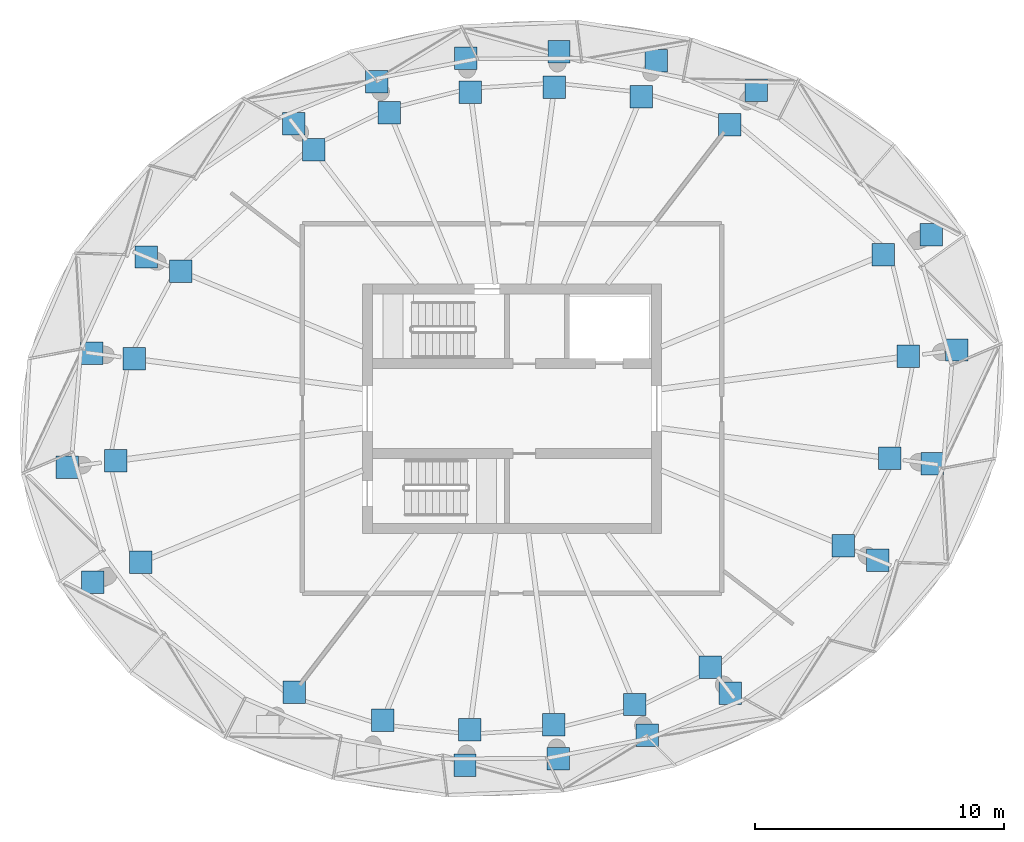
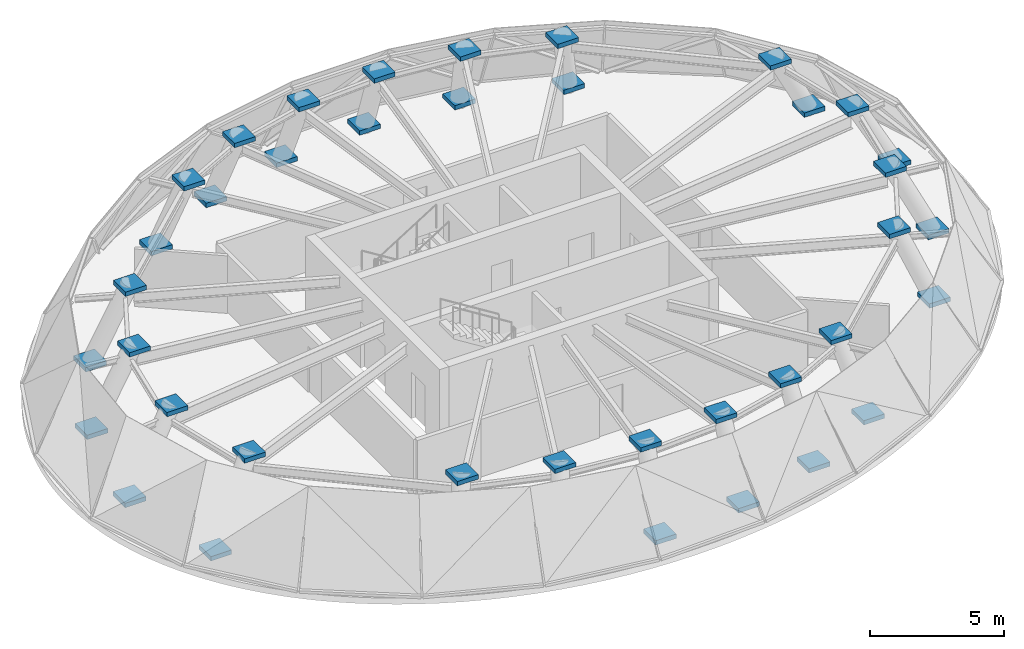
# One storey, part 8 of 9: 38 discrete accessories.
"""IFC4 building model written with IfcOpenShell, lengths in metres."""

import ifcopenshell
import ifcopenshell.guid

model = None  # the IFC model being written
_history = None  # IfcOwnerHistory: only IFC2X3 demands one
_inside = {}  # id of a spatial element -> (the spatial element, [elements in it])
_under = {}  # id of a project, library or spatial element -> (it, [spatial elements below it])
_declared = {}  # id of a project -> (the project, [libraries it declares])
_typed = {}  # id of a type object -> (the type object, [elements of that type])
_made_of = {}  # id of a material, layer set ... -> (it, [elements and type objects made of it])


def new_model(schema):
    """Start an empty IFC model of exactly this schema.

    Asked for "IFC4X3", IfcOpenShell would pick the latest addendum, in which some entities
    have other attributes; the version numbers below select the first issue.
    IFC2X3 requires an IfcOwnerHistory on every rooted entity: one is made here for all.
    """
    global model, _history
    if schema == "IFC4X3":
        model = ifcopenshell.file(schema_version=(4, 3, 0, 0))
    else:
        model = ifcopenshell.file(schema=schema)
    _inside.clear()
    _under.clear()
    _declared.clear()
    _typed.clear()
    _made_of.clear()
    _history = None
    if model.schema == "IFC2X3":
        org = make("IfcOrganization", Name="unknown")
        user = make(
            "IfcPersonAndOrganization",
            ThePerson=make("IfcPerson", FamilyName="unknown"),
            TheOrganization=org,
        )
        app = make(
            "IfcApplication",
            ApplicationDeveloper=org,
            Version="unknown",
            ApplicationFullName="unknown",
            ApplicationIdentifier="unknown",
        )
        _history = make(
            "IfcOwnerHistory",
            OwningUser=user,
            OwningApplication=app,
            ChangeAction="ADDED",
            CreationDate=0,
        )
    return model


def make(cls, **values):
    """One entity of the class cls with the attributes given. An attribute that is None is left unset."""
    return model.create_entity(
        cls, **{name: value for name, value in values.items() if value is not None}
    )


def rooted(cls, **values):
    """An entity with a GlobalId (a new one), such as an element, a storey or a relation."""
    return make(cls, GlobalId=ifcopenshell.guid.new(), OwnerHistory=_history, **values)


def si_unit(unit_type, name, prefix=None):
    """IfcSIUnit, for example si_unit("LENGTHUNIT", "METRE", prefix="MILLI")."""
    return make("IfcSIUnit", UnitType=unit_type, Prefix=prefix, Name=name)


def assignment(units):
    """IfcUnitAssignment: the units of a project."""
    return None if units is None else make("IfcUnitAssignment", Units=units)


def point(xyz):
    """IfcCartesianPoint."""
    return None if xyz is None else make("IfcCartesianPoint", Coordinates=xyz)


def direction(xyz):
    """IfcDirection."""
    return None if xyz is None else make("IfcDirection", DirectionRatios=xyz)


def frame(location, z_axis=None, x_axis=None):
    """IfcAxis2Placement3D, a coordinate frame: its origin and axes. An axis left out is left unset."""
    return make(
        "IfcAxis2Placement3D",
        Location=point(location),
        Axis=direction(z_axis),
        RefDirection=direction(x_axis),
    )


def frame_2d(location, x_axis=None):
    """IfcAxis2Placement2D, a coordinate frame in the plane: its origin and x axis."""
    return make(
        "IfcAxis2Placement2D", Location=point(location), RefDirection=direction(x_axis)
    )


def origin():
    """The frame at (0, 0, 0) with its axes left unset."""
    return frame((0.0, 0.0, 0.0))


def origin_2d():
    """The frame at (0, 0) in the plane with its x axis left unset."""
    return frame_2d((0.0, 0.0))


def place(relative_to, where):
    """IfcLocalPlacement: puts the frame where relative to a parent placement (None: the world)."""
    return make(
        "IfcLocalPlacement", PlacementRelTo=relative_to, RelativePlacement=where
    )


def context(
    kind, dimensions, precision=None, world=None, true_north=None, identifier=None
):
    """IfcGeometricRepresentationContext, for example the 3D "Model" context."""
    return make(
        "IfcGeometricRepresentationContext",
        ContextIdentifier=identifier,
        ContextType=kind,
        CoordinateSpaceDimension=dimensions,
        Precision=precision,
        WorldCoordinateSystem=world,
        TrueNorth=true_north,
    )


def subcontext(parent, identifier, kind, view, scale=None):
    """IfcGeometricRepresentationSubContext, for example "Body" below "Model"."""
    return make(
        "IfcGeometricRepresentationSubContext",
        ContextIdentifier=identifier,
        ContextType=kind,
        ParentContext=parent,
        TargetScale=scale,
        TargetView=view,
    )


def project(units=None, contexts=None):
    """IfcProject with its units and contexts."""
    return rooted(
        "IfcProject",
        Name="project",
        RepresentationContexts=contexts,
        UnitsInContext=assignment(units),
    )


def spatial(cls, under=None, at=None, **own):
    """A site, building, storey or space (cls), placed at a placement, below another one or the project."""
    s = rooted(cls, ObjectPlacement=at, **own)
    if under is not None:
        _under.setdefault(under.id(), (under, []))[1].append(s)
    return s


def profile(cls, at=None, kind="AREA", **sizes):
    """A parametric profile (cls). Its sizes go by their IFC names, for example OverallWidth=200.0."""
    return make(cls, ProfileType=kind, Position=at, **sizes)


def rectangle(**sizes):
    """IfcRectangleProfileDef."""
    return profile("IfcRectangleProfileDef", **sizes)


def extrude(swept, where, along, depth):
    """IfcExtrudedAreaSolid: the profile swept, set in the frame where, extruded along a direction by depth."""
    return make(
        "IfcExtrudedAreaSolid",
        SweptArea=swept,
        Position=where,
        ExtrudedDirection=direction(along),
        Depth=depth,
    )


def shape(context_of_items, identifier, shape_type, items):
    """IfcShapeRepresentation: the items that make up one representation, for example the "Body"."""
    return make(
        "IfcShapeRepresentation",
        ContextOfItems=context_of_items,
        RepresentationIdentifier=identifier,
        RepresentationType=shape_type,
        Items=items,
    )


def source(mapping_origin, context_of_items, identifier, shape_type, items):
    """IfcRepresentationMap: a shape defined once, which mapped items show again and again."""
    return make(
        "IfcRepresentationMap",
        MappingOrigin=mapping_origin,
        MappedRepresentation=shape(context_of_items, identifier, shape_type, items),
    )


def transform(
    local_origin,
    x_axis=None,
    y_axis=None,
    z_axis=None,
    scale=None,
    scale2=None,
    scale3=None,
    uniform=True,
):
    """IfcCartesianTransformationOperator3D, or its non-uniform kind. x_axis, y_axis, z_axis: its Axis1, 2, 3."""
    if uniform:
        return make(
            "IfcCartesianTransformationOperator3D",
            Axis1=direction(x_axis),
            Axis2=direction(y_axis),
            LocalOrigin=point(local_origin),
            Scale=scale,
            Axis3=direction(z_axis),
        )
    return make(
        "IfcCartesianTransformationOperator3DnonUniform",
        Axis1=direction(x_axis),
        Axis2=direction(y_axis),
        LocalOrigin=point(local_origin),
        Scale=scale,
        Axis3=direction(z_axis),
        Scale2=scale2,
        Scale3=scale3,
    )


def mapped(mapping_source, mapping_target):
    """IfcMappedItem: shows the shape of a source again, moved by a transform."""
    return make(
        "IfcMappedItem", MappingSource=mapping_source, MappingTarget=mapping_target
    )


def material(Name=None, Category=None):
    """IfcMaterial."""
    return make("IfcMaterial", Name=Name, Category=Category)


def layer(
    of_material, thickness, ventilated=None, Name=None, Category=None, Priority=None
):
    """IfcMaterialLayer: one layer of a wall or slab, of a material (None: an air gap)."""
    return make(
        "IfcMaterialLayer",
        Material=of_material,
        LayerThickness=thickness,
        IsVentilated=ventilated,
        Name=Name,
        Category=Category,
        Priority=Priority,
    )


def layer_set(layers, Name=None):
    """IfcMaterialLayerSet."""
    return make("IfcMaterialLayerSet", MaterialLayers=layers, LayerSetName=Name)


def made_of(thing, what):
    """Note that an element or type object is made of a material, layer set ...; save() writes the relation."""
    if what is not None:
        _made_of.setdefault(what.id(), (what, []))[1].append(thing)
    return thing


def type_object(cls, material=None, **own):
    """A type object (cls), such as IfcWallType, which elements share."""
    return made_of(rooted(cls, **own), material)


def element(
    cls,
    number,
    at=None,
    inside=None,
    cuts=None,
    type_object=None,
    material=None,
    context=None,
    identifier="Body",
    shape_type=None,
    held_by="IfcProductDefinitionShape",
    body=None,
    shapes=None,
    **own,
):
    """One element of the class cls, such as IfcWall. Its Tag is "e" and its number.

    at: its placement. inside: the storey or other place that contains it. cuts: it is an
    opening in that element (IfcRelVoidsElement). A single representation is given by context,
    identifier, shape_type and body (its items); several are given by shapes. held_by: the class
    of the entity that holds the representations. save() writes the other relations.
    """
    e = rooted(cls, Tag="e%d" % number, ObjectPlacement=at, **own)
    if body is not None:
        shapes = [shape(context, identifier, shape_type, body)]
    if shapes is not None:
        e.Representation = make(held_by, Representations=shapes)
    if inside is not None:
        _inside.setdefault(inside.id(), (inside, []))[1].append(e)
    if cuts is not None:
        rooted(
            "IfcRelVoidsElement", RelatingBuildingElement=cuts, RelatedOpeningElement=e
        )
    if type_object is not None:
        _typed.setdefault(type_object.id(), (type_object, []))[1].append(e)
    return made_of(e, material)


def aggregate(whole, parts):
    """IfcRelAggregates: a whole, such as a stair, and the parts it consists of."""
    return rooted("IfcRelAggregates", RelatingObject=whole, RelatedObjects=parts)


def save(model, path):
    """Write the relations noted so far, then the file.

    IfcRelAggregates (storeys below a building ...), IfcRelContainedInSpatialStructure (elements
    in a storey), IfcRelDefinesByType, IfcRelAssociatesMaterial and IfcRelDeclares: one each for
    every whole, place, type object, material and project.
    """
    for whole, parts in _under.values():
        aggregate(whole, parts)
    for where, things in _inside.values():
        rooted(
            "IfcRelContainedInSpatialStructure",
            RelatedElements=things,
            RelatingStructure=where,
        )
    for kind, things in _typed.values():
        rooted("IfcRelDefinesByType", RelatedObjects=things, RelatingType=kind)
    for what, things in _made_of.values():
        rooted("IfcRelAssociatesMaterial", RelatedObjects=things, RelatingMaterial=what)
    for by, libraries in _declared.values():
        rooted("IfcRelDeclares", RelatingContext=by, RelatedDefinitions=libraries)
    model.write(path)


model = new_model("IFC4")

# Units and contexts
model_context = context("Model", 3, precision=1e-05, world=origin(), true_north=direction((0.0, 1.0)))
body_context = subcontext(model_context, "Body", "Model", "MODEL_VIEW")
ifc_project = project(units=[si_unit("LENGTHUNIT", "METRE"), si_unit("AREAUNIT", "SQUARE_METRE"), si_unit("VOLUMEUNIT", "CUBIC_METRE"), si_unit("PLANEANGLEUNIT", "RADIAN"), si_unit("MASSUNIT", "GRAM", prefix="KILO")], contexts=[model_context])

# Site, building, storey
site_placement = place(None, origin())
site = spatial("IfcSite", under=ifc_project, at=site_placement, CompositionType="ELEMENT")
building_placement = place(site_placement, origin())
building = spatial("IfcBuilding", under=site, at=building_placement, Name="Spindrift Exchange Tower", CompositionType="ELEMENT")
storey_placement = place(building_placement, frame((0.0, 0.0, 273.10009765625)))
storey = spatial("IfcBuildingStorey", under=building, at=storey_placement, Name="L67", CompositionType="ELEMENT", Elevation=273.10009765625)

# Discrete accessories
ifc_material = material(Name="Steel Grade 350", Category="steel")
ifc_layer = layer(ifc_material, 0.89990234375)
ifc_layer_set = layer_set([ifc_layer], Name="Bearing shoe 900x900x200 Steel Grade 350")
discrete_accessory_type = type_object("IfcDiscreteAccessoryType", Name="Bearing shoe 900x900x200 Steel Grade 350", PredefinedType="USERDEFINED", material=ifc_layer_set)
shared_shape = source(origin(), body_context, "Body", "SweptSolid", [
    extrude(rectangle(XDim=0.89990234375, YDim=0.89990234375, at=origin_2d()), origin(), (0.0, 0.0, 1.0), 0.199951171875),
])
for number, where, z_axis, x_axis, name in (
    (1, (69.828125, 50.34716796875, 0.17431640625), (0.0, 0.0, 1.0), (1.0, 0.0, 0.0), "L67 bearing shoe 01 foot"),
    (2, (67.87890625, 50.090576171875, 3.47412109375), (0.0, 0.0, 1.0), (1.0, 0.0, 0.0), "L67 bearing shoe 01 head"),
    (3, (68.801513671875, 54.95947265625, 0.181640625), (0.0, 0.0, 1.0), (1.0, 0.0, 0.0), "L67 bearing shoe 02 foot"),
    (4, (66.88330078125, 54.164794921875, 3.4814453125), (0.0, 0.0, 1.0), (1.0, 0.0, 0.0), "L67 bearing shoe 02 head"),
    (5, (61.78857421875, 60.756591796875, 0.15869140625), (0.0, 0.0, 1.0), (1.0, 0.0, 0.0), "L67 bearing shoe 04 foot"),
    (6, (60.730224609375, 59.37744140625, 3.45849609375), (0.0, 0.0, 1.0), (1.0, 0.0, 0.0), "L67 bearing shoe 04 head"),
    (7, (57.773193359375, 61.9375, 0.1455078125), (0.0, 0.0, 1.0), (1.0, 0.0, 0.0), "L67 bearing shoe 05 foot"),
    (8, (57.174560546875, 60.4921875, 3.44580078125), (0.0, 0.0, 1.0), (1.0, 0.0, 0.0), "L67 bearing shoe 05 head"),
    (9, (53.88330078125, 62.30419921875, 0.13623046875), (0.0, 0.0, 1.0), (1.0, 0.0, 0.0), "L67 bearing shoe 06 foot"),
    (10, (53.6953125, 60.877197265625, 3.43603515625), (0.0, 0.0, 1.0), (1.0, 0.0, 0.0), "L67 bearing shoe 06 head"),
    (11, (50.152099609375, 62.0361328125, 0.130859375), (0.0, 0.0, 1.0), (1.0, 0.0, 0.0), "L67 bearing shoe 07 foot"),
    (12, (50.331298828125, 60.676025390625, 3.4306640625), (0.0, 0.0, 1.0), (1.0, 0.0, 0.0), "L67 bearing shoe 07 head"),
    (13, (46.574462890625, 61.098388671875, 0.1279296875), (0.0, 0.0, 1.0), (1.0, 0.0, 0.0), "L67 bearing shoe 08 foot"),
    (14, (47.086181640625, 59.863037109375, 3.427734375), (0.0, 0.0, 1.0), (1.0, 0.0, 0.0), "L67 bearing shoe 08 head"),
    (15, (43.244384765625, 59.410400390625, 0.1259765625), (0.0, 0.0, 1.0), (1.0, 0.0, 0.0), "L67 bearing shoe 09 foot"),
    (16, (44.04443359375, 58.367919921875, 3.42578125), (0.0, 0.0, 1.0), (1.0, 0.0, 0.0), "L67 bearing shoe 09 head"),
    (17, (37.3330078125, 54.0751953125, 0.140625), (0.0, 0.0, 1.0), (1.0, 0.0, 0.0), "L67 bearing shoe 11 foot"),
    (18, (38.717529296875, 53.501708984375, 3.44091796875), (0.0, 0.0, 1.0), (1.0, 0.0, 0.0), "L67 bearing shoe 11 head"),
    (19, (35.161865234375, 50.216796875, 0.1572265625), (0.0, 0.0, 1.0), (1.0, 0.0, 0.0), "L67 bearing shoe 12 foot"),
    (20, (36.863525390625, 49.99267578125, 3.45703125), (0.0, 0.0, 1.0), (1.0, 0.0, 0.0), "L67 bearing shoe 12 head"),
    (21, (34.171875, 45.65283203125, 0.17431640625), (0.0, 0.0, 1.0), (1.0, 0.0, 0.0), "L67 bearing shoe 13 foot"),
    (22, (36.12109375, 45.909423828125, 3.47412109375), (0.0, 0.0, 1.0), (1.0, 0.0, 0.0), "L67 bearing shoe 13 head"),
    (23, (35.198486328125, 41.04052734375, 0.181640625), (0.0, 0.0, 1.0), (1.0, 0.0, 0.0), "L67 bearing shoe 14 foot"),
    (24, (37.11669921875, 41.835205078125, 3.4814453125), (0.0, 0.0, 1.0), (1.0, 0.0, 0.0), "L67 bearing shoe 14 head"),
    (25, (43.269775390625, 36.62255859375, 3.45849609375), (0.0, 0.0, 1.0), (1.0, 0.0, 0.0), "L67 bearing shoe 16 head"),
    (26, (46.825439453125, 35.5078125, 3.44580078125), (0.0, 0.0, 1.0), (1.0, 0.0, 0.0), "L67 bearing shoe 17 head"),
    (27, (50.11669921875, 33.69580078125, 0.13623046875), (0.0, 0.0, 1.0), (1.0, 0.0, 0.0), "L67 bearing shoe 18 foot"),
    (28, (50.3046875, 35.122802734375, 3.43603515625), (0.0, 0.0, 1.0), (1.0, 0.0, 0.0), "L67 bearing shoe 18 head"),
    (29, (53.847900390625, 33.9638671875, 0.130859375), (0.0, 0.0, 1.0), (1.0, 0.0, 0.0), "L67 bearing shoe 19 foot"),
    (30, (53.668701171875, 35.323974609375, 3.4306640625), (0.0, 0.0, 1.0), (1.0, 0.0, 0.0), "L67 bearing shoe 19 head"),
    (31, (57.425537109375, 34.901611328125, 0.1279296875), (0.0, 0.0, 1.0), (1.0, 0.0, 0.0), "L67 bearing shoe 20 foot"),
    (32, (56.913818359375, 36.136962890625, 3.427734375), (0.0, 0.0, 1.0), (1.0, 0.0, 0.0), "L67 bearing shoe 20 head"),
    (33, (60.755615234375, 36.589599609375, 0.1259765625), (0.0, 0.0, 1.0), (1.0, 0.0, 0.0), "L67 bearing shoe 21 foot"),
    (34, (59.95556640625, 37.632080078125, 3.42578125), (0.0, 0.0, 1.0), (1.0, 0.0, 0.0), "L67 bearing shoe 21 head"),
    (35, (66.6669921875, 41.9248046875, 0.140625), (0.0, 0.0, 1.0), (1.0, 0.0, 0.0), "L67 bearing shoe 23 foot"),
    (36, (65.282470703125, 42.498291015625, 3.44091796875), (0.0, 0.0, 1.0), (1.0, 0.0, 0.0), "L67 bearing shoe 23 head"),
    (37, (68.838134765625, 45.783203125, 0.1572265625), (0.0, 0.0, 1.0), (1.0, 0.0, 0.0), "L67 bearing shoe 24 foot"),
    (38, (67.136474609375, 46.00732421875, 3.45703125), (0.0, 0.0, 1.0), (1.0, 0.0, 0.0), "L67 bearing shoe 24 head"),
):
    element("IfcDiscreteAccessory", number, at=place(storey_placement, frame(where, z_axis=z_axis, x_axis=x_axis)), inside=storey, type_object=discrete_accessory_type, Name=name, ObjectType="Bearing shoe", PredefinedType="USERDEFINED", context=body_context, shape_type="MappedRepresentation", body=[
        mapped(shared_shape, transform((0.0, 0.0, 0.0), scale=1.0)),
    ])

save(model, "model.ifc")
